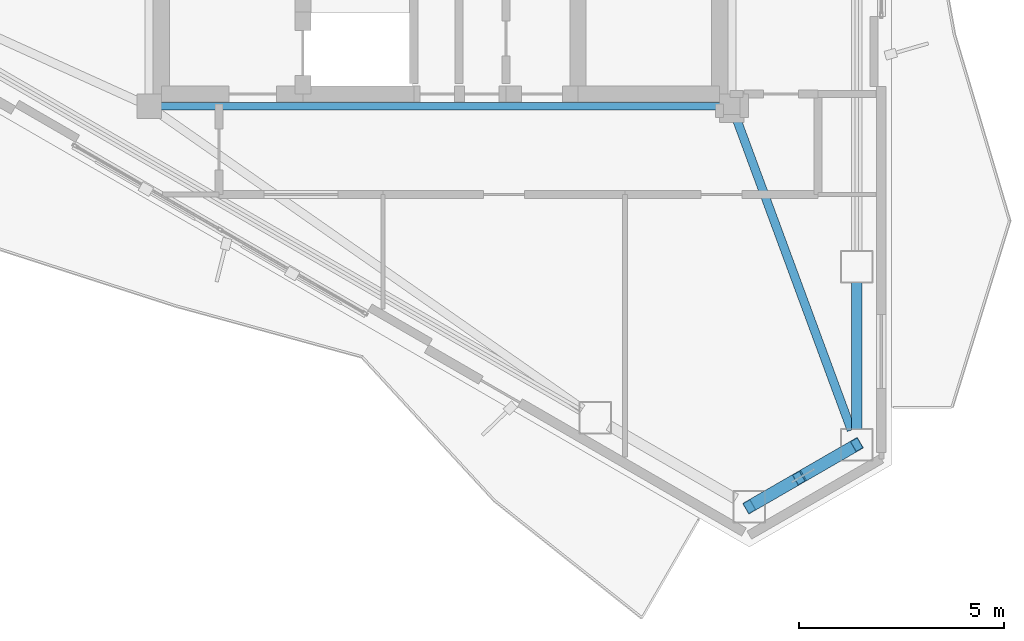
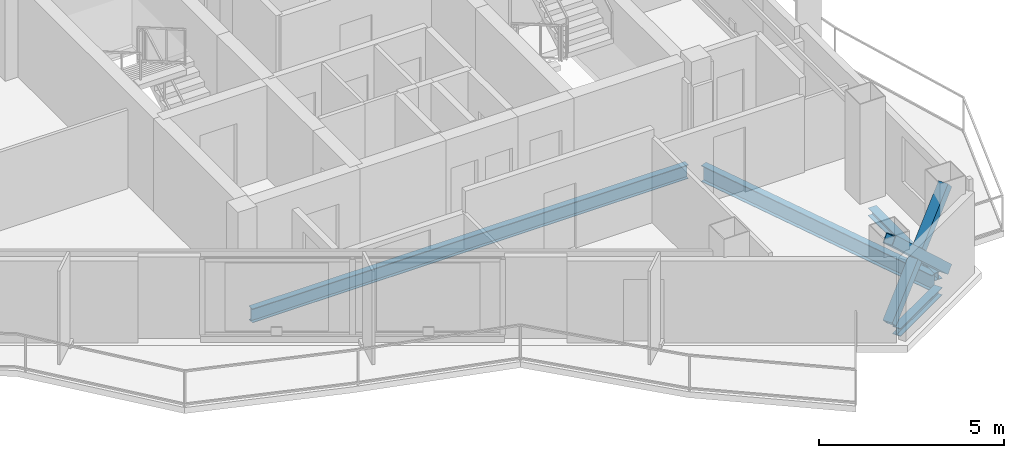
# One storey, part 6 of 18: 4 beams, 3 members.
"""IFC4 building model written with IfcOpenShell, lengths in metres."""

from ifc_helpers import new_model, si_unit, direction, frame, origin, origin_2d, place, context, subcontext, project, spatial, hollow_rectangle, i_section, extrude, material, material_profile, profile_set, type_object, element, save


model = new_model("IFC4")

# Units and contexts
model_context = context("Model", 3, precision=1e-05, world=origin(), true_north=direction((0.0, 1.0)))
body_context = subcontext(model_context, "Body", "Model", "MODEL_VIEW")
ifc_project = project(units=[si_unit("LENGTHUNIT", "METRE"), si_unit("AREAUNIT", "SQUARE_METRE"), si_unit("VOLUMEUNIT", "CUBIC_METRE"), si_unit("PLANEANGLEUNIT", "RADIAN"), si_unit("MASSUNIT", "GRAM", prefix="KILO")], contexts=[model_context])

# Site, building, storey
site_placement = place(None, origin())
site = spatial("IfcSite", under=ifc_project, at=site_placement, CompositionType="ELEMENT")
building_placement = place(site_placement, origin())
building = spatial("IfcBuilding", under=site, at=building_placement, Name="Mersakhor Tower and Convention Hall", CompositionType="ELEMENT")
storey_placement = place(building_placement, frame((0.0, 0.0, 243.0)))
storey = spatial("IfcBuildingStorey", under=building, at=storey_placement, Name="L68", CompositionType="ELEMENT", Elevation=243.0)

# Beams
ifc_material_1 = material(Name="Steel S355", Category="steel")
ifc_material_profile_1 = material_profile(ifc_material_1, i_section(OverallWidth=0.19140625, OverallDepth=0.4599609375, WebThickness=0.010009765625, FlangeThickness=0.01611328125, at=origin_2d()), Name="UB 457x191x82")
ifc_profile_set_1 = profile_set([ifc_material_profile_1], Name="Steel S355")
beam_type_1 = type_object("IfcBeamType", Name="BM-FB-457", PredefinedType="BEAM", material=ifc_profile_set_1)
beam_1_placement = place(storey_placement, frame((35.820068359375, 20.449951171875, -0.449951171875), z_axis=(-1.0, 0.0, 0.0), x_axis=(0.0, -1.0, 0.0)))
element("IfcBeam", 1, at=beam_1_placement, inside=storey, type_object=beam_type_1, Name="L68 Core Ring Tie Beam CRB-4", PredefinedType="BEAM", context=body_context, shape_type="SweptSolid", body=[
    extrude(i_section(OverallWidth=0.19140625, OverallDepth=0.4599609375, WebThickness=0.010009765625, FlangeThickness=0.01611328125, at=origin_2d()), origin(), (0.0, 0.0, 1.0), 13.64013671875),
])
ifc_material_2 = material(Name="Steel S355", Category="steel")
ifc_material_profile_2 = material_profile(ifc_material_2, i_section(OverallWidth=0.2099609375, OverallDepth=0.53662109375, WebThickness=0.0107421875, FlangeThickness=0.017333984375, at=origin_2d()), Name="UB 533x210x101")
ifc_profile_set_2 = profile_set([ifc_material_profile_2], Name="Steel S355")
beam_type_2 = type_object("IfcBeamType", Name="BM-FB-533", PredefinedType="BEAM", material=ifc_profile_set_2)
beam_2_placement = place(storey_placement, frame((36.197021484375, 20.187255859375, -0.48828125), z_axis=(0.346207764595, -0.938157867171, 0.0), x_axis=(0.938157867171, 0.346207764595, 0.0)))
element("IfcBeam", 2, at=beam_2_placement, inside=storey, type_object=beam_type_2, Name="L68 Primary Floor Girder FG-4", PredefinedType="BEAM", context=body_context, shape_type="SweptSolid", body=[
    extrude(i_section(OverallWidth=0.2099609375, OverallDepth=0.53662109375, WebThickness=0.0107421875, FlangeThickness=0.017333984375, at=origin_2d()), origin(), (0.0, 0.0, 1.0), 8.128662109375),
])
ifc_material_3 = material(Name="Steel S355", Category="steel")
ifc_material_profile_3 = material_profile(ifc_material_3, i_section(OverallWidth=0.25634765625, OverallDepth=0.26025390625, WebThickness=0.01025390625, FlangeThickness=0.017333984375, at=origin_2d()), Name="UC 254x254x89")
ifc_profile_set_3 = profile_set([ifc_material_profile_3], Name="Steel S355")
beam_type_3 = type_object("IfcBeamType", Name="BM-SPD-UC254", PredefinedType="SPANDREL", material=ifc_profile_set_3)
beam_3_placement = place(storey_placement, frame((39.142822265625, 16.1591796875, -0.35009765625), z_axis=(0.0, -1.0, 0.0), x_axis=(1.0, 0.0, 0.0)))
element("IfcBeam", 3, at=beam_3_placement, inside=storey, type_object=beam_type_3, Name="L68 Perimeter Spandrel Beam SPB-07", PredefinedType="SPANDREL", context=body_context, shape_type="SweptSolid", body=[
    extrude(i_section(OverallWidth=0.25634765625, OverallDepth=0.26025390625, WebThickness=0.01025390625, FlangeThickness=0.017333984375, at=origin_2d()), origin(), (0.0, 0.0, 1.0), 3.574462890625),
])
beam_4_placement = place(storey_placement, frame((38.813720703125, 12.0146484375, -0.35009765625), z_axis=(-0.866016678684, -0.500015112013, 0.0), x_axis=(0.500015112013, -0.866016678684, 0.0)))
element("IfcBeam", 4, at=beam_4_placement, inside=storey, type_object=beam_type_3, Name="L68 Perimeter Spandrel Beam SPB-08", PredefinedType="SPANDREL", context=body_context, shape_type="SweptSolid", body=[
    extrude(i_section(OverallWidth=0.25634765625, OverallDepth=0.26025390625, WebThickness=0.01025390625, FlangeThickness=0.017333984375, at=origin_2d()), origin(), (0.0, 0.0, 1.0), 2.2626953125),
])

# Members
ifc_material_4 = material(Name="Steel S355", Category="steel")
ifc_material_profile_4 = material_profile(ifc_material_4, hollow_rectangle(XDim=0.300048828125, YDim=0.300048828125, WallThickness=0.01611328125, at=origin_2d()), Name="SHS 300x300x16")
ifc_profile_set_4 = profile_set([ifc_material_profile_4], Name="Steel S355")
member_type = type_object("IfcMemberType", Name="MB-BRC-SHS300", PredefinedType="BRACE", material=ifc_profile_set_4)
member_placement = place(storey_placement, frame((39.142822265625, 12.20458984375, 0.14990234375), z_axis=(-0.637423019708, -0.367995569109, 0.676957277132), x_axis=(0.499978822259, -0.866037630414, 0.0)))
element("IfcMember", 5, at=member_placement, inside=storey, type_object=member_type, Name="L68 Chamfer Braced Frame Diagonal CB-2A", PredefinedType="BRACE", context=body_context, shape_type="SweptSolid", body=[
    extrude(hollow_rectangle(XDim=0.300048828125, YDim=0.300048828125, WallThickness=0.01611328125, at=origin_2d()), origin(), (0.0, 0.0, 1.0), 4.106689453125),
])
for number, where, z_axis, x_axis, name in (
    (6, (36.525146484375, 10.693359375, 0.14990234375), (0.6374128848, 0.367990943802, 0.676969334291), (-0.499980071345, 0.866036909293, 0.0), "L68 Chamfer Braced Frame Diagonal CB-2B Lower Half"),
    (7, (37.93505859375, 11.50732421875, 1.647216796875), (0.6374128848, 0.367990943802, 0.676969334291), (-0.499980071345, 0.866036909293, 0.0), "L68 Chamfer Braced Frame Diagonal CB-2B Upper Half"),
):
    element("IfcMember", number, at=place(storey_placement, frame(where, z_axis=z_axis, x_axis=x_axis)), inside=storey, type_object=member_type, Name=name, PredefinedType="BRACE", context=body_context, shape_type="SweptSolid", body=[
        extrude(hollow_rectangle(XDim=0.300048828125, YDim=0.300048828125, WallThickness=0.01611328125, at=origin_2d()), origin(), (0.0, 0.0, 1.0), 1.894775390625),
    ])

save(model, "model.ifc")
